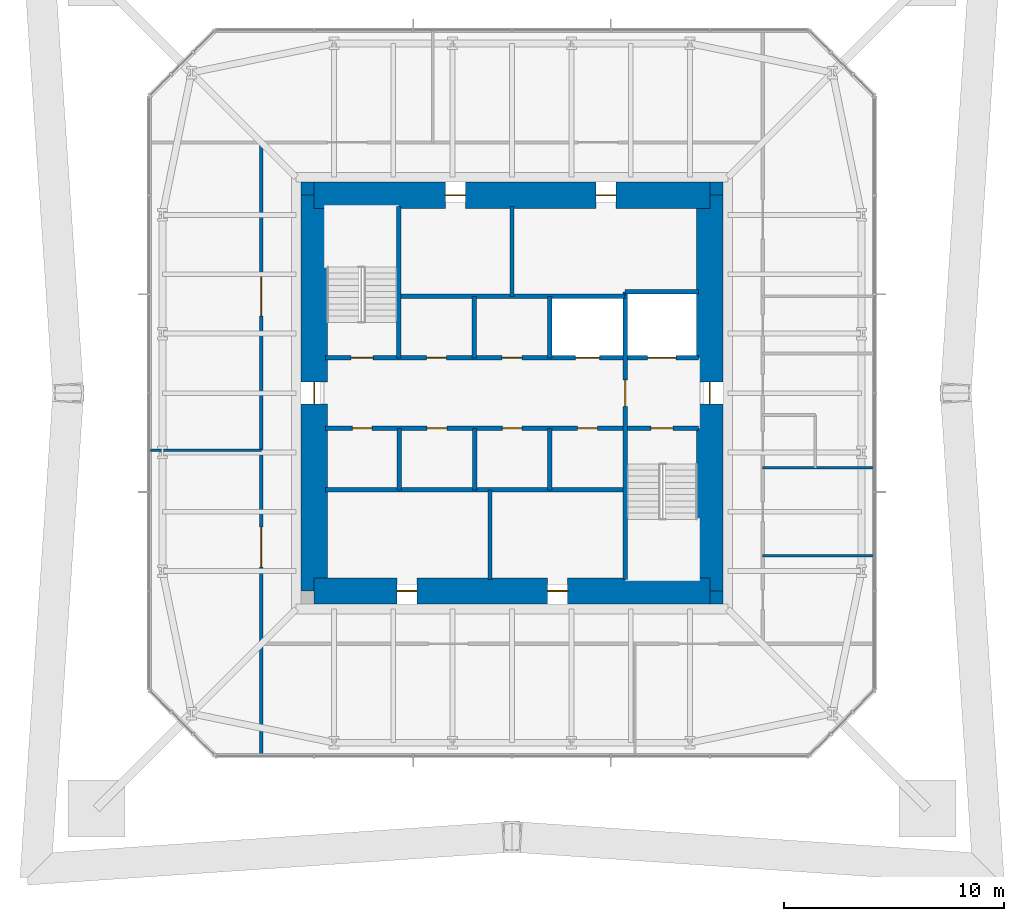
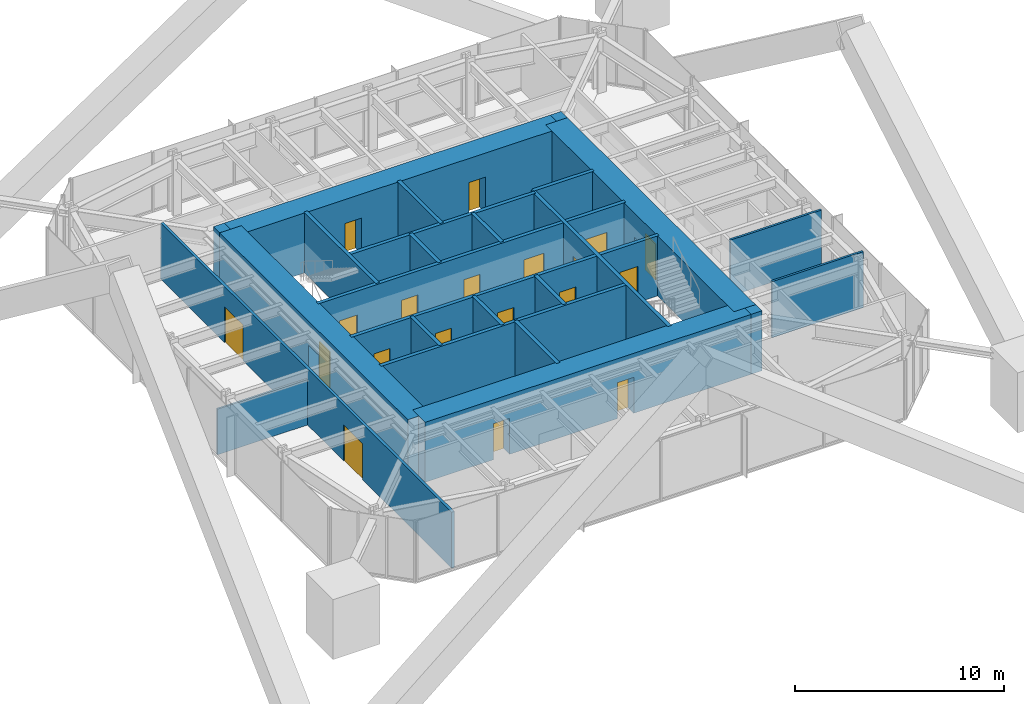
# One storey, part 9 of 11: 25 walls, 19 doors, 19 openings.
"""IFC4 building model written with IfcOpenShell, lengths in metres."""

import ifcopenshell
import ifcopenshell.guid

model = None  # the IFC model being written
_history = None  # IfcOwnerHistory: only IFC2X3 demands one
_inside = {}  # id of a spatial element -> (the spatial element, [elements in it])
_under = {}  # id of a project, library or spatial element -> (it, [spatial elements below it])
_declared = {}  # id of a project -> (the project, [libraries it declares])
_typed = {}  # id of a type object -> (the type object, [elements of that type])
_made_of = {}  # id of a material, layer set ... -> (it, [elements and type objects made of it])


def new_model(schema):
    """Start an empty IFC model of exactly this schema.

    Asked for "IFC4X3", IfcOpenShell would pick the latest addendum, in which some entities
    have other attributes; the version numbers below select the first issue.
    IFC2X3 requires an IfcOwnerHistory on every rooted entity: one is made here for all.
    """
    global model, _history
    if schema == "IFC4X3":
        model = ifcopenshell.file(schema_version=(4, 3, 0, 0))
    else:
        model = ifcopenshell.file(schema=schema)
    _inside.clear()
    _under.clear()
    _declared.clear()
    _typed.clear()
    _made_of.clear()
    _history = None
    if model.schema == "IFC2X3":
        org = make("IfcOrganization", Name="unknown")
        user = make(
            "IfcPersonAndOrganization",
            ThePerson=make("IfcPerson", FamilyName="unknown"),
            TheOrganization=org,
        )
        app = make(
            "IfcApplication",
            ApplicationDeveloper=org,
            Version="unknown",
            ApplicationFullName="unknown",
            ApplicationIdentifier="unknown",
        )
        _history = make(
            "IfcOwnerHistory",
            OwningUser=user,
            OwningApplication=app,
            ChangeAction="ADDED",
            CreationDate=0,
        )
    return model


def make(cls, **values):
    """One entity of the class cls with the attributes given. An attribute that is None is left unset."""
    return model.create_entity(
        cls, **{name: value for name, value in values.items() if value is not None}
    )


def rooted(cls, **values):
    """An entity with a GlobalId (a new one), such as an element, a storey or a relation."""
    return make(cls, GlobalId=ifcopenshell.guid.new(), OwnerHistory=_history, **values)


def si_unit(unit_type, name, prefix=None):
    """IfcSIUnit, for example si_unit("LENGTHUNIT", "METRE", prefix="MILLI")."""
    return make("IfcSIUnit", UnitType=unit_type, Prefix=prefix, Name=name)


def assignment(units):
    """IfcUnitAssignment: the units of a project."""
    return None if units is None else make("IfcUnitAssignment", Units=units)


def point(xyz):
    """IfcCartesianPoint."""
    return None if xyz is None else make("IfcCartesianPoint", Coordinates=xyz)


def direction(xyz):
    """IfcDirection."""
    return None if xyz is None else make("IfcDirection", DirectionRatios=xyz)


def frame(location, z_axis=None, x_axis=None):
    """IfcAxis2Placement3D, a coordinate frame: its origin and axes. An axis left out is left unset."""
    return make(
        "IfcAxis2Placement3D",
        Location=point(location),
        Axis=direction(z_axis),
        RefDirection=direction(x_axis),
    )


def frame_2d(location, x_axis=None):
    """IfcAxis2Placement2D, a coordinate frame in the plane: its origin and x axis."""
    return make(
        "IfcAxis2Placement2D", Location=point(location), RefDirection=direction(x_axis)
    )


def origin():
    """The frame at (0, 0, 0) with its axes left unset."""
    return frame((0.0, 0.0, 0.0))


def place(relative_to, where):
    """IfcLocalPlacement: puts the frame where relative to a parent placement (None: the world)."""
    return make(
        "IfcLocalPlacement", PlacementRelTo=relative_to, RelativePlacement=where
    )


def context(
    kind, dimensions, precision=None, world=None, true_north=None, identifier=None
):
    """IfcGeometricRepresentationContext, for example the 3D "Model" context."""
    return make(
        "IfcGeometricRepresentationContext",
        ContextIdentifier=identifier,
        ContextType=kind,
        CoordinateSpaceDimension=dimensions,
        Precision=precision,
        WorldCoordinateSystem=world,
        TrueNorth=true_north,
    )


def subcontext(parent, identifier, kind, view, scale=None):
    """IfcGeometricRepresentationSubContext, for example "Body" below "Model"."""
    return make(
        "IfcGeometricRepresentationSubContext",
        ContextIdentifier=identifier,
        ContextType=kind,
        ParentContext=parent,
        TargetScale=scale,
        TargetView=view,
    )


def project(units=None, contexts=None):
    """IfcProject with its units and contexts."""
    return rooted(
        "IfcProject",
        Name="project",
        RepresentationContexts=contexts,
        UnitsInContext=assignment(units),
    )


def spatial(cls, under=None, at=None, **own):
    """A site, building, storey or space (cls), placed at a placement, below another one or the project."""
    s = rooted(cls, ObjectPlacement=at, **own)
    if under is not None:
        _under.setdefault(under.id(), (under, []))[1].append(s)
    return s


def profile(cls, at=None, kind="AREA", **sizes):
    """A parametric profile (cls). Its sizes go by their IFC names, for example OverallWidth=200.0."""
    return make(cls, ProfileType=kind, Position=at, **sizes)


def rectangle(**sizes):
    """IfcRectangleProfileDef."""
    return profile("IfcRectangleProfileDef", **sizes)


def extrude(swept, where, along, depth):
    """IfcExtrudedAreaSolid: the profile swept, set in the frame where, extruded along a direction by depth."""
    return make(
        "IfcExtrudedAreaSolid",
        SweptArea=swept,
        Position=where,
        ExtrudedDirection=direction(along),
        Depth=depth,
    )


def shape(context_of_items, identifier, shape_type, items):
    """IfcShapeRepresentation: the items that make up one representation, for example the "Body"."""
    return make(
        "IfcShapeRepresentation",
        ContextOfItems=context_of_items,
        RepresentationIdentifier=identifier,
        RepresentationType=shape_type,
        Items=items,
    )


def material(Name=None, Category=None):
    """IfcMaterial."""
    return make("IfcMaterial", Name=Name, Category=Category)


def layer(
    of_material, thickness, ventilated=None, Name=None, Category=None, Priority=None
):
    """IfcMaterialLayer: one layer of a wall or slab, of a material (None: an air gap)."""
    return make(
        "IfcMaterialLayer",
        Material=of_material,
        LayerThickness=thickness,
        IsVentilated=ventilated,
        Name=Name,
        Category=Category,
        Priority=Priority,
    )


def layer_set(layers, Name=None):
    """IfcMaterialLayerSet."""
    return make("IfcMaterialLayerSet", MaterialLayers=layers, LayerSetName=Name)


def made_of(thing, what):
    """Note that an element or type object is made of a material, layer set ...; save() writes the relation."""
    if what is not None:
        _made_of.setdefault(what.id(), (what, []))[1].append(thing)
    return thing


def type_object(cls, material=None, **own):
    """A type object (cls), such as IfcWallType, which elements share."""
    return made_of(rooted(cls, **own), material)


def element(
    cls,
    number,
    at=None,
    inside=None,
    cuts=None,
    type_object=None,
    material=None,
    context=None,
    identifier="Body",
    shape_type=None,
    held_by="IfcProductDefinitionShape",
    body=None,
    shapes=None,
    **own,
):
    """One element of the class cls, such as IfcWall. Its Tag is "e" and its number.

    at: its placement. inside: the storey or other place that contains it. cuts: it is an
    opening in that element (IfcRelVoidsElement). A single representation is given by context,
    identifier, shape_type and body (its items); several are given by shapes. held_by: the class
    of the entity that holds the representations. save() writes the other relations.
    """
    e = rooted(cls, Tag="e%d" % number, ObjectPlacement=at, **own)
    if body is not None:
        shapes = [shape(context, identifier, shape_type, body)]
    if shapes is not None:
        e.Representation = make(held_by, Representations=shapes)
    if inside is not None:
        _inside.setdefault(inside.id(), (inside, []))[1].append(e)
    if cuts is not None:
        rooted(
            "IfcRelVoidsElement", RelatingBuildingElement=cuts, RelatedOpeningElement=e
        )
    if type_object is not None:
        _typed.setdefault(type_object.id(), (type_object, []))[1].append(e)
    return made_of(e, material)


def fill(opening, filler):
    """IfcRelFillsElement: the door or window that sits in an opening."""
    return rooted(
        "IfcRelFillsElement",
        RelatingOpeningElement=opening,
        RelatedBuildingElement=filler,
    )


def aggregate(whole, parts):
    """IfcRelAggregates: a whole, such as a stair, and the parts it consists of."""
    return rooted("IfcRelAggregates", RelatingObject=whole, RelatedObjects=parts)


def save(model, path):
    """Write the relations noted so far, then the file.

    IfcRelAggregates (storeys below a building ...), IfcRelContainedInSpatialStructure (elements
    in a storey), IfcRelDefinesByType, IfcRelAssociatesMaterial and IfcRelDeclares: one each for
    every whole, place, type object, material and project.
    """
    for whole, parts in _under.values():
        aggregate(whole, parts)
    for where, things in _inside.values():
        rooted(
            "IfcRelContainedInSpatialStructure",
            RelatedElements=things,
            RelatingStructure=where,
        )
    for kind, things in _typed.values():
        rooted("IfcRelDefinesByType", RelatedObjects=things, RelatingType=kind)
    for what, things in _made_of.values():
        rooted("IfcRelAssociatesMaterial", RelatedObjects=things, RelatingMaterial=what)
    for by, libraries in _declared.values():
        rooted("IfcRelDeclares", RelatingContext=by, RelatedDefinitions=libraries)
    model.write(path)


model = new_model("IFC4")

# Units and contexts
model_context = context("Model", 3, precision=1e-05, world=origin(), true_north=direction((0.0, 1.0)))
body_context = subcontext(model_context, "Body", "Model", "MODEL_VIEW")
ifc_project = project(units=[si_unit("LENGTHUNIT", "METRE"), si_unit("AREAUNIT", "SQUARE_METRE"), si_unit("VOLUMEUNIT", "CUBIC_METRE"), si_unit("PLANEANGLEUNIT", "RADIAN"), si_unit("MASSUNIT", "GRAM", prefix="KILO")], contexts=[model_context])

# Site, building, storey
site_placement = place(None, origin())
site = spatial("IfcSite", under=ifc_project, at=site_placement, CompositionType="ELEMENT")
building_placement = place(site_placement, origin())
building = spatial("IfcBuilding", under=site, at=building_placement, Name="Iwan Alto Co-Living Towers", CompositionType="ELEMENT")
storey_placement = place(building_placement, frame((0.0, 0.0, 215.0)))
storey = spatial("IfcBuildingStorey", under=building, at=storey_placement, Name="L58", CompositionType="ELEMENT", Elevation=215.0)

# Wall, openings, doors
ifc_material_1 = material(Name="Gypsum board")
ifc_layer_1 = layer(ifc_material_1, 0.02490234375, Name="Board", Category="Finish")
ifc_material_2 = material(Name="Steel ASTM A1003 ST33H cold-formed studs", Category="steel")
ifc_layer_2 = layer(ifc_material_2, 0.10009765625, Name="Studs", Category="Framing")
ifc_layer_3 = layer(ifc_material_1, 0.02490234375, Name="Board", Category="Finish")
ifc_layer_set_1 = layer_set([ifc_layer_1, ifc_layer_2, ifc_layer_3], Name="CORRIDOR WALL 150")
wall_type_1 = type_object("IfcWallType", Name="CORRIDOR WALL 150", PredefinedType="PARTITIONING", material=ifc_layer_set_1)
wall_1_placement = place(storey_placement, frame((-11.39990234375, -16.43994140625, 0.0), z_axis=(0.0, 0.0, 1.0), x_axis=(0.0, 1.0, 0.0)))
wall_1 = element("IfcWall", 1, at=wall_1_placement, inside=storey, type_object=wall_type_1, Name="Partition L58", PredefinedType="PARTITIONING", context=body_context, shape_type="SweptSolid", body=[
    extrude(rectangle(XDim=27.83984375, YDim=0.14990234375, at=frame_2d((13.919921875, 0.0))), origin(), (0.0, 0.0, 1.0), 3.27001953125),
])
opening_1_placement = place(wall_1_placement, frame((19.93994140625, 0.0, 0.0)))
opening_1 = element("IfcOpeningElement", 2, at=opening_1_placement, cuts=wall_1, Name="Opening D9", PredefinedType="OPENING", context=body_context, shape_type="SweptSolid", body=[
    extrude(rectangle(XDim=1.800048828125, YDim=2.10009765625, at=frame_2d((0.89990234375, 1.050048828125))), frame((0.0, 0.0849609375, 0.0), z_axis=(0.0, -1.0, 0.0), x_axis=(1.0, 0.0, 0.0)), (0.0, 0.0, 1.0), 0.169921875),
])
opening_2_placement = place(wall_1_placement, frame((8.5400390625, 0.0, 0.0)))
opening_2 = element("IfcOpeningElement", 3, at=opening_2_placement, cuts=wall_1, Name="Opening D9", PredefinedType="OPENING", context=body_context, shape_type="SweptSolid", body=[
    extrude(rectangle(XDim=1.800048828125, YDim=2.10009765625, at=frame_2d((0.89990234375, 1.050048828125))), frame((0.0, 0.0849609375, 0.0), z_axis=(0.0, -1.0, 0.0), x_axis=(1.0, 0.0, 0.0)), (0.0, 0.0, 1.0), 0.169921875),
])
ifc_material_3 = material(Name="Steel frame with timber leaf", Category="steel")
door_type_1 = type_object("IfcDoorType", Name="LOUNGE DOOR FD30S 1800X2100", OperationType="DOUBLE_DOOR_SINGLE_SWING", PredefinedType="DOOR", material=ifc_material_3)
door_1_placement = place(opening_1_placement, origin())
door_1 = element("IfcDoor", 4, at=door_1_placement, inside=storey, type_object=door_type_1, Name="Residents' club room door L58", OperationType="DOUBLE_DOOR_SINGLE_SWING", OverallHeight=2.10009765625, OverallWidth=1.800048828125, PredefinedType="DOOR", context=body_context, shape_type="SweptSolid", body=[
    extrude(rectangle(XDim=1.800048828125, YDim=2.10009765625, at=frame_2d((0.89990234375, 1.050048828125))), frame((0.0, 0.02490234375, 0.0), z_axis=(0.0, -1.0, 0.0), x_axis=(1.0, 0.0, 0.0)), (0.0, 0.0, 1.0), 0.050048828125),
])
fill(opening_1, door_1)
door_2_placement = place(opening_2_placement, origin())
door_2 = element("IfcDoor", 5, at=door_2_placement, inside=storey, type_object=door_type_1, Name="Games room door L58", OperationType="DOUBLE_DOOR_SINGLE_SWING", OverallHeight=2.10009765625, OverallWidth=1.800048828125, PredefinedType="DOOR", context=body_context, shape_type="SweptSolid", body=[
    extrude(rectangle(XDim=1.800048828125, YDim=2.10009765625, at=frame_2d((0.89990234375, 1.050048828125))), frame((0.0, 0.02490234375, 0.0), z_axis=(0.0, -1.0, 0.0), x_axis=(1.0, 0.0, 0.0)), (0.0, 0.0, 1.0), 0.050048828125),
])
fill(opening_2, door_2)

# Walls
ifc_layer_4 = layer(ifc_material_1, 0.012451171875, Name="Board", Category="Finish")
ifc_layer_5 = layer(ifc_material_2, 0.074951171875, Name="Studs", Category="Framing")
ifc_layer_6 = layer(ifc_material_1, 0.012451171875, Name="Board", Category="Finish")
ifc_layer_set_2 = layer_set([ifc_layer_4, ifc_layer_5, ifc_layer_6], Name="PARTITION 100")
wall_type_2 = type_object("IfcWallType", Name="PARTITION 100", PredefinedType="PARTITIONING", material=ifc_layer_set_2)
wall_2_placement = place(storey_placement, frame((-16.43994140625, -2.60009765625, 0.0), z_axis=(0.0, 0.0, 1.0), x_axis=(1.0, 0.0, 0.0)))
element("IfcWall", 6, at=wall_2_placement, inside=storey, type_object=wall_type_2, Name="Partition L58", PredefinedType="PARTITIONING", context=body_context, shape_type="SweptSolid", body=[
    extrude(rectangle(XDim=5.0400390625, YDim=0.10009765625, at=frame_2d((2.52001953125, 0.0))), origin(), (0.0, 0.0, 1.0), 2.662841796875),
])
ifc_material_4 = material(Name="Concrete f'c 70 MPa", Category="concrete")
ifc_layer_7 = layer(ifc_material_4, 0.199951171875)
ifc_layer_set_3 = layer_set([ifc_layer_7], Name="SHAFT WALL 200")
wall_type_3 = type_object("IfcWallType", Name="SHAFT WALL 200", PredefinedType="SOLIDWALL", material=ifc_layer_set_3)
wall_3_placement = place(storey_placement, frame((-8.489990234375, -4.39990234375, 0.0), z_axis=(0.0, 0.0, 1.0), x_axis=(1.0, 0.0, 0.0)))
element("IfcWall", 7, at=wall_3_placement, inside=storey, type_object=wall_type_3, Name="Shaft wall L58", PredefinedType="SOLIDWALL", context=body_context, shape_type="SweptSolid", body=[
    extrude(rectangle(XDim=13.639892578125, YDim=0.199951171875, at=frame_2d((6.81982421875, 0.0))), origin(), (0.0, 0.0, 1.0), 3.5),
])

# Wall, openings, doors
wall_4_placement = place(storey_placement, frame((-8.489990234375, -1.60009765625, 0.0), z_axis=(0.0, 0.0, 1.0), x_axis=(1.0, 0.0, 0.0)))
wall_4 = element("IfcWall", 8, at=wall_4_placement, inside=storey, type_object=wall_type_3, Name="Shaft wall L58", PredefinedType="SOLIDWALL", context=body_context, shape_type="SweptSolid", body=[
    extrude(rectangle(XDim=16.97998046875, YDim=0.199951171875, at=frame_2d((8.489990234375, 0.0))), origin(), (0.0, 0.0, 1.0), 3.5),
])
opening_3_placement = place(wall_4_placement, frame((14.81005859375, 0.0, 0.0)))
opening_3 = element("IfcOpeningElement", 9, at=opening_3_placement, cuts=wall_4, Name="Opening D5", PredefinedType="OPENING", context=body_context, shape_type="SweptSolid", body=[
    extrude(rectangle(XDim=1.0, YDim=2.10009765625, at=frame_2d((0.5, 1.050048828125))), frame((0.0, 0.10986328125, 0.0), z_axis=(0.0, -1.0, 0.0), x_axis=(1.0, 0.0, 0.0)), (0.0, 0.0, 1.0), 0.219970703125),
])
opening_4_placement = place(wall_4_placement, frame((1.23193359375, 0.0, 0.0)))
opening_4 = element("IfcOpeningElement", 10, at=opening_4_placement, cuts=wall_4, Name="Opening D15", PredefinedType="OPENING", context=body_context, shape_type="SweptSolid", body=[
    extrude(rectangle(XDim=0.89990234375, YDim=2.10009765625, at=frame_2d((0.449951171875, 1.050048828125))), frame((0.0, 0.10986328125, 0.0), z_axis=(0.0, -1.0, 0.0), x_axis=(1.0, 0.0, 0.0)), (0.0, 0.0, 1.0), 0.219970703125),
])
opening_5_placement = place(wall_4_placement, frame((4.626953125, 0.0, 0.0)))
opening_5 = element("IfcOpeningElement", 11, at=opening_5_placement, cuts=wall_4, Name="Opening D15", PredefinedType="OPENING", context=body_context, shape_type="SweptSolid", body=[
    extrude(rectangle(XDim=0.89990234375, YDim=2.10009765625, at=frame_2d((0.449951171875, 1.050048828125))), frame((0.0, 0.10986328125, 0.0), z_axis=(0.0, -1.0, 0.0), x_axis=(1.0, 0.0, 0.0)), (0.0, 0.0, 1.0), 0.219970703125),
])
opening_6_placement = place(wall_4_placement, frame((8.052001953125, 0.0, 0.0)))
opening_6 = element("IfcOpeningElement", 12, at=opening_6_placement, cuts=wall_4, Name="Opening D15", PredefinedType="OPENING", context=body_context, shape_type="SweptSolid", body=[
    extrude(rectangle(XDim=0.89990234375, YDim=2.10009765625, at=frame_2d((0.449951171875, 1.050048828125))), frame((0.0, 0.10986328125, 0.0), z_axis=(0.0, -1.0, 0.0), x_axis=(1.0, 0.0, 0.0)), (0.0, 0.0, 1.0), 0.219970703125),
])
opening_7_placement = place(wall_4_placement, frame((11.47802734375, 0.0, 0.0)))
opening_7 = element("IfcOpeningElement", 13, at=opening_7_placement, cuts=wall_4, Name="Opening D15", PredefinedType="OPENING", context=body_context, shape_type="SweptSolid", body=[
    extrude(rectangle(XDim=0.89990234375, YDim=2.10009765625, at=frame_2d((0.449951171875, 1.050048828125))), frame((0.0, 0.10986328125, 0.0), z_axis=(0.0, -1.0, 0.0), x_axis=(1.0, 0.0, 0.0)), (0.0, 0.0, 1.0), 0.219970703125),
])
ifc_material_5 = material(Name="Steel frame with timber leaf", Category="steel")
door_type_2 = type_object("IfcDoorType", Name="CORE ROOM DOOR FD60S 900X2100", OperationType="SINGLE_SWING_LEFT", PredefinedType="DOOR", material=ifc_material_5)
door_3_placement = place(opening_4_placement, frame((0.89990234375, 0.0, 0.0), z_axis=(0.0, 0.0, 1.0), x_axis=(-1.0, 0.0, 0.0)))
door_3 = element("IfcDoor", 14, at=door_3_placement, inside=storey, type_object=door_type_2, Name="Vending and ice room door L58", OperationType="SINGLE_SWING_LEFT", OverallHeight=2.10009765625, OverallWidth=0.89990234375, PredefinedType="DOOR", context=body_context, shape_type="SweptSolid", body=[
    extrude(rectangle(XDim=0.89990234375, YDim=2.10009765625, at=frame_2d((0.449951171875, 1.050048828125))), frame((0.0, 0.02490234375, 0.0), z_axis=(0.0, -1.0, 0.0), x_axis=(1.0, 0.0, 0.0)), (0.0, 0.0, 1.0), 0.050048828125),
])
fill(opening_4, door_3)
door_4_placement = place(opening_5_placement, frame((0.89990234375, 0.0, 0.0), z_axis=(0.0, 0.0, 1.0), x_axis=(-1.0, 0.0, 0.0)))
door_4 = element("IfcDoor", 15, at=door_4_placement, inside=storey, type_object=door_type_2, Name="Cleaner's store door L58", OperationType="SINGLE_SWING_RIGHT", OverallHeight=2.10009765625, OverallWidth=0.89990234375, PredefinedType="DOOR", context=body_context, shape_type="SweptSolid", body=[
    extrude(rectangle(XDim=0.89990234375, YDim=2.10009765625, at=frame_2d((0.449951171875, 1.050048828125))), frame((0.0, 0.02490234375, 0.0), z_axis=(0.0, -1.0, 0.0), x_axis=(1.0, 0.0, 0.0)), (0.0, 0.0, 1.0), 0.050048828125),
])
fill(opening_5, door_4)
door_5_placement = place(opening_6_placement, frame((0.89990234375, 0.0, 0.0), z_axis=(0.0, 0.0, 1.0), x_axis=(-1.0, 0.0, 0.0)))
door_5 = element("IfcDoor", 16, at=door_5_placement, inside=storey, type_object=door_type_2, Name="Guest pantry door L58", OperationType="SINGLE_SWING_RIGHT", OverallHeight=2.10009765625, OverallWidth=0.89990234375, PredefinedType="DOOR", context=body_context, shape_type="SweptSolid", body=[
    extrude(rectangle(XDim=0.89990234375, YDim=2.10009765625, at=frame_2d((0.449951171875, 1.050048828125))), frame((0.0, 0.02490234375, 0.0), z_axis=(0.0, -1.0, 0.0), x_axis=(1.0, 0.0, 0.0)), (0.0, 0.0, 1.0), 0.050048828125),
])
fill(opening_6, door_5)
door_6_placement = place(opening_7_placement, frame((0.89990234375, 0.0, 0.0), z_axis=(0.0, 0.0, 1.0), x_axis=(-1.0, 0.0, 0.0)))
door_6 = element("IfcDoor", 17, at=door_6_placement, inside=storey, type_object=door_type_2, Name="Staff WC door L58", OperationType="SINGLE_SWING_RIGHT", OverallHeight=2.10009765625, OverallWidth=0.89990234375, PredefinedType="DOOR", context=body_context, shape_type="SweptSolid", body=[
    extrude(rectangle(XDim=0.89990234375, YDim=2.10009765625, at=frame_2d((0.449951171875, 1.050048828125))), frame((0.0, 0.02490234375, 0.0), z_axis=(0.0, -1.0, 0.0), x_axis=(1.0, 0.0, 0.0)), (0.0, 0.0, 1.0), 0.050048828125),
])
fill(opening_7, door_6)
ifc_material_6 = material(Name="Steel frame with timber leaf", Category="steel")
door_type_3 = type_object("IfcDoorType", Name="STAIR DOOR FD120S 1000X2100", OperationType="SINGLE_SWING_LEFT", PredefinedType="DOOR", material=ifc_material_6)
door_7_placement = place(opening_3_placement, frame((1.0, 0.0, 0.0), z_axis=(0.0, 0.0, 1.0), x_axis=(-1.0, 0.0, 0.0)))
door_7 = element("IfcDoor", 18, at=door_7_placement, inside=storey, type_object=door_type_3, Name="Stair S2 door L58", OperationType="SINGLE_SWING_RIGHT", OverallHeight=2.10009765625, OverallWidth=1.0, PredefinedType="DOOR", context=body_context, shape_type="SweptSolid", body=[
    extrude(rectangle(XDim=1.0, YDim=2.10009765625, at=frame_2d((0.5, 1.050048828125))), frame((0.0, 0.02490234375, 0.0), z_axis=(0.0, -1.0, 0.0), x_axis=(1.0, 0.0, 0.0)), (0.0, 0.0, 1.0), 0.050048828125),
])
fill(opening_3, door_7)

wall_5_placement = place(storey_placement, frame((-8.489990234375, 1.60009765625, 0.0), z_axis=(0.0, 0.0, 1.0), x_axis=(1.0, 0.0, 0.0)))
wall_5 = element("IfcWall", 19, at=wall_5_placement, inside=storey, type_object=wall_type_3, Name="Shaft wall L58", PredefinedType="SOLIDWALL", context=body_context, shape_type="SweptSolid", body=[
    extrude(rectangle(XDim=16.97998046875, YDim=0.199951171875, at=frame_2d((8.489990234375, 0.0))), origin(), (0.0, 0.0, 1.0), 3.5),
])
opening_8_placement = place(wall_5_placement, frame((1.169921875, 0.0, 0.0)))
opening_8 = element("IfcOpeningElement", 20, at=opening_8_placement, cuts=wall_5, Name="Opening D5", PredefinedType="OPENING", context=body_context, shape_type="SweptSolid", body=[
    extrude(rectangle(XDim=1.0, YDim=2.10009765625, at=frame_2d((0.5, 1.050048828125))), frame((0.0, 0.10986328125, 0.0), z_axis=(0.0, -1.0, 0.0), x_axis=(1.0, 0.0, 0.0)), (0.0, 0.0, 1.0), 0.219970703125),
])
opening_9_placement = place(wall_5_placement, frame((4.60595703125, 0.0, 0.0)))
opening_9 = element("IfcOpeningElement", 21, at=opening_9_placement, cuts=wall_5, Name="Opening D15", PredefinedType="OPENING", context=body_context, shape_type="SweptSolid", body=[
    extrude(rectangle(XDim=0.89990234375, YDim=2.10009765625, at=frame_2d((0.449951171875, 1.050048828125))), frame((0.0, 0.10986328125, 0.0), z_axis=(0.0, -1.0, 0.0), x_axis=(1.0, 0.0, 0.0)), (0.0, 0.0, 1.0), 0.219970703125),
])
opening_10_placement = place(wall_5_placement, frame((8.0400390625, 0.0, 0.0)))
opening_10 = element("IfcOpeningElement", 22, at=opening_10_placement, cuts=wall_5, Name="Opening D15", PredefinedType="OPENING", context=body_context, shape_type="SweptSolid", body=[
    extrude(rectangle(XDim=0.89990234375, YDim=2.10009765625, at=frame_2d((0.449951171875, 1.050048828125))), frame((0.0, 0.10986328125, 0.0), z_axis=(0.0, -1.0, 0.0), x_axis=(1.0, 0.0, 0.0)), (0.0, 0.0, 1.0), 0.219970703125),
])
opening_11_placement = place(wall_5_placement, frame((11.3740234375, 0.0, 0.0)))
opening_11 = element("IfcOpeningElement", 23, at=opening_11_placement, cuts=wall_5, Name="Opening LD", PredefinedType="OPENING", context=body_context, shape_type="SweptSolid", body=[
    extrude(rectangle(XDim=1.10009765625, YDim=2.10009765625, at=frame_2d((0.550048828125, 1.050048828125))), frame((0.0, 0.10986328125, 0.0), z_axis=(0.0, -1.0, 0.0), x_axis=(1.0, 0.0, 0.0)), (0.0, 0.0, 1.0), 0.219970703125),
])
opening_12_placement = place(wall_5_placement, frame((14.659912109375, 0.0, 0.0)))
opening_12 = element("IfcOpeningElement", 24, at=opening_12_placement, cuts=wall_5, Name="Opening LD2", PredefinedType="OPENING", context=body_context, shape_type="SweptSolid", body=[
    extrude(rectangle(XDim=1.300048828125, YDim=2.10009765625, at=frame_2d((0.64990234375, 1.050048828125))), frame((0.0, 0.10986328125, 0.0), z_axis=(0.0, -1.0, 0.0), x_axis=(1.0, 0.0, 0.0)), (0.0, 0.0, 1.0), 0.219970703125),
])
door_8_placement = place(opening_9_placement, origin())
door_8 = element("IfcDoor", 25, at=door_8_placement, inside=storey, type_object=door_type_2, Name="Comms room door L58", OperationType="SINGLE_SWING_LEFT", OverallHeight=2.10009765625, OverallWidth=0.89990234375, PredefinedType="DOOR", context=body_context, shape_type="SweptSolid", body=[
    extrude(rectangle(XDim=0.89990234375, YDim=2.10009765625, at=frame_2d((0.449951171875, 1.050048828125))), frame((0.0, 0.02490234375, 0.0), z_axis=(0.0, -1.0, 0.0), x_axis=(1.0, 0.0, 0.0)), (0.0, 0.0, 1.0), 0.050048828125),
])
fill(opening_9, door_8)
door_9_placement = place(opening_10_placement, origin())
door_9 = element("IfcDoor", 26, at=door_9_placement, inside=storey, type_object=door_type_2, Name="Bulk store door L58", OperationType="SINGLE_SWING_LEFT", OverallHeight=2.10009765625, OverallWidth=0.89990234375, PredefinedType="DOOR", context=body_context, shape_type="SweptSolid", body=[
    extrude(rectangle(XDim=0.89990234375, YDim=2.10009765625, at=frame_2d((0.449951171875, 1.050048828125))), frame((0.0, 0.02490234375, 0.0), z_axis=(0.0, -1.0, 0.0), x_axis=(1.0, 0.0, 0.0)), (0.0, 0.0, 1.0), 0.050048828125),
])
fill(opening_10, door_9)
ifc_material_7 = material(Name="Steel frame with timber leaf", Category="steel")
door_type_4 = type_object("IfcDoorType", Name="LIFT LANDING DOOR 1100X2100", OperationType="DOUBLE_DOOR_SLIDING", PredefinedType="DOOR", material=ifc_material_7)
door_10_placement = place(opening_11_placement, origin())
door_10 = element("IfcDoor", 27, at=door_10_placement, inside=storey, type_object=door_type_4, Name="Lift P4-3 landing door L58", OperationType="DOUBLE_DOOR_SLIDING", OverallHeight=2.10009765625, OverallWidth=1.10009765625, PredefinedType="DOOR", context=body_context, shape_type="SweptSolid", body=[
    extrude(rectangle(XDim=1.10009765625, YDim=2.10009765625, at=frame_2d((0.550048828125, 1.050048828125))), frame((0.0, 0.02490234375, 0.0), z_axis=(0.0, -1.0, 0.0), x_axis=(1.0, 0.0, 0.0)), (0.0, 0.0, 1.0), 0.050048828125),
])
fill(opening_11, door_10)
ifc_material_8 = material(Name="Steel frame with timber leaf", Category="steel")
door_type_5 = type_object("IfcDoorType", Name="LIFT LANDING DOOR 1300X2100", OperationType="SLIDING_TO_LEFT", PredefinedType="DOOR", material=ifc_material_8)
door_11_placement = place(opening_12_placement, origin())
door_11 = element("IfcDoor", 28, at=door_11_placement, inside=storey, type_object=door_type_5, Name="Lift FL1 landing door L58", OperationType="SLIDING_TO_LEFT", OverallHeight=2.10009765625, OverallWidth=1.300048828125, PredefinedType="DOOR", context=body_context, shape_type="SweptSolid", body=[
    extrude(rectangle(XDim=1.300048828125, YDim=2.10009765625, at=frame_2d((0.64990234375, 1.050048828125))), frame((0.0, 0.02490234375, 0.0), z_axis=(0.0, -1.0, 0.0), x_axis=(1.0, 0.0, 0.0)), (0.0, 0.0, 1.0), 0.050048828125),
])
fill(opening_12, door_11)
door_12_placement = place(opening_8_placement, origin())
door_12 = element("IfcDoor", 29, at=door_12_placement, inside=storey, type_object=door_type_3, Name="Stair S1 door L58", OperationType="SINGLE_SWING_RIGHT", OverallHeight=2.10009765625, OverallWidth=1.0, PredefinedType="DOOR", context=body_context, shape_type="SweptSolid", body=[
    extrude(rectangle(XDim=1.0, YDim=2.10009765625, at=frame_2d((0.5, 1.050048828125))), frame((0.0, 0.02490234375, 0.0), z_axis=(0.0, -1.0, 0.0), x_axis=(1.0, 0.0, 0.0)), (0.0, 0.0, 1.0), 0.050048828125),
])
fill(opening_8, door_12)

# Walls
wall_6_placement = place(storey_placement, frame((-5.14990234375, 4.39990234375, 0.0), z_axis=(0.0, 0.0, 1.0), x_axis=(1.0, 0.0, 0.0)))
element("IfcWall", 30, at=wall_6_placement, inside=storey, type_object=wall_type_3, Name="Shaft wall L58", PredefinedType="SOLIDWALL", context=body_context, shape_type="SweptSolid", body=[
    extrude(rectangle(XDim=10.2998046875, YDim=0.199951171875, at=frame_2d((5.14990234375, 0.0))), origin(), (0.0, 0.0, 1.0), 3.5),
])
wall_7_placement = place(storey_placement, frame((5.14990234375, 4.60009765625, 0.0), z_axis=(0.0, 0.0, 1.0), x_axis=(1.0, 0.0, 0.0)))
element("IfcWall", 31, at=wall_7_placement, inside=storey, type_object=wall_type_3, Name="Shaft wall L58", PredefinedType="SOLIDWALL", context=body_context, shape_type="SweptSolid", body=[
    extrude(rectangle(XDim=3.340087890625, YDim=0.199951171875, at=frame_2d((1.669921875, 0.0))), origin(), (0.0, 0.0, 1.0), 3.5),
])

# Wall, opening, door
wall_8_placement = place(storey_placement, frame((5.14990234375, -8.489990234375, 0.0), z_axis=(0.0, 0.0, 1.0), x_axis=(0.0, 1.0, 0.0)))
wall_8 = element("IfcWall", 32, at=wall_8_placement, inside=storey, type_object=wall_type_3, Name="Shaft wall L58", PredefinedType="SOLIDWALL", context=body_context, shape_type="SweptSolid", body=[
    extrude(rectangle(XDim=13.090087890625, YDim=0.199951171875, at=frame_2d((6.544921875, 0.0))), origin(), (0.0, 0.0, 1.0), 3.5),
])
opening_13_placement = place(wall_8_placement, frame((7.889892578125, 0.0, 0.0)))
opening_13 = element("IfcOpeningElement", 33, at=opening_13_placement, cuts=wall_8, Name="Opening D6", PredefinedType="OPENING", context=body_context, shape_type="SweptSolid", body=[
    extrude(rectangle(XDim=1.199951171875, YDim=2.10009765625, at=frame_2d((0.60009765625, 1.050048828125))), frame((0.0, 0.10986328125, 0.0), z_axis=(0.0, -1.0, 0.0), x_axis=(1.0, 0.0, 0.0)), (0.0, 0.0, 1.0), 0.219970703125),
])
ifc_material_9 = material(Name="Steel frame with timber leaf", Category="steel")
door_type_6 = type_object("IfcDoorType", Name="LOBBY DOOR FD120S 1200X2100", OperationType="SINGLE_SWING_LEFT", PredefinedType="DOOR", material=ifc_material_9)
door_13_placement = place(opening_13_placement, frame((1.199951171875, 0.0, 0.0), z_axis=(0.0, 0.0, 1.0), x_axis=(-1.0, 0.0, 0.0)))
door_13 = element("IfcDoor", 34, at=door_13_placement, inside=storey, type_object=door_type_6, Name="Firefighting lobby door L58", OperationType="SINGLE_SWING_RIGHT", OverallHeight=2.10009765625, OverallWidth=1.199951171875, PredefinedType="DOOR", context=body_context, shape_type="SweptSolid", body=[
    extrude(rectangle(XDim=1.199951171875, YDim=2.10009765625, at=frame_2d((0.60009765625, 1.050048828125))), frame((0.0, 0.02490234375, 0.0), z_axis=(0.0, -1.0, 0.0), x_axis=(1.0, 0.0, 0.0)), (0.0, 0.0, 1.0), 0.050048828125),
])
fill(opening_13, door_13)

# Walls
for number, where, z_axis, x_axis, name in (
    (35, (1.72509765625, -4.39990234375, 0.0), (0.0, 0.0, 1.0), (0.0, 1.0, 0.0), "Shaft wall L58"),
    (36, (1.717041015625, 1.60009765625, 0.0), (0.0, 0.0, 1.0), (0.0, 1.0, 0.0), "Shaft wall L58"),
):
    element("IfcWall", number, at=place(storey_placement, frame(where, z_axis=z_axis, x_axis=x_axis)), inside=storey, type_object=wall_type_3, Name=name, PredefinedType="SOLIDWALL", context=body_context, shape_type="SweptSolid", body=[
        extrude(rectangle(XDim=2.7998046875, YDim=0.199951171875, at=frame_2d((1.39990234375, 0.0))), origin(), (0.0, 0.0, 1.0), 3.5),
    ])
for number, where, z_axis, x_axis, name in (
    (37, (0.0, 4.39990234375, 0.0), (0.0, 0.0, 1.0), (0.0, 1.0, 0.0), "Shaft wall L58"),
    (38, (-1.0, -8.489990234375, 0.0), (0.0, 0.0, 1.0), (0.0, 1.0, 0.0), "Shaft wall L58"),
):
    element("IfcWall", number, at=place(storey_placement, frame(where, z_axis=z_axis, x_axis=x_axis)), inside=storey, type_object=wall_type_3, Name=name, PredefinedType="SOLIDWALL", context=body_context, shape_type="SweptSolid", body=[
        extrude(rectangle(XDim=4.090087890625, YDim=0.199951171875, at=frame_2d((2.044921875, 0.0))), origin(), (0.0, 0.0, 1.0), 3.5),
    ])
for number, where, z_axis, x_axis, name in (
    (39, (-1.699951171875, -4.39990234375, 0.0), (0.0, 0.0, 1.0), (0.0, 1.0, 0.0), "Shaft wall L58"),
    (40, (-1.717041015625, 1.60009765625, 0.0), (0.0, 0.0, 1.0), (0.0, 1.0, 0.0), "Shaft wall L58"),
    (41, (-5.125, -4.39990234375, 0.0), (0.0, 0.0, 1.0), (0.0, 1.0, 0.0), "Shaft wall L58"),
):
    element("IfcWall", number, at=place(storey_placement, frame(where, z_axis=z_axis, x_axis=x_axis)), inside=storey, type_object=wall_type_3, Name=name, PredefinedType="SOLIDWALL", context=body_context, shape_type="SweptSolid", body=[
        extrude(rectangle(XDim=2.7998046875, YDim=0.199951171875, at=frame_2d((1.39990234375, 0.0))), origin(), (0.0, 0.0, 1.0), 3.5),
    ])
wall_9_placement = place(storey_placement, frame((-5.14990234375, 1.60009765625, 0.0), z_axis=(0.0, 0.0, 1.0), x_axis=(0.0, 1.0, 0.0)))
element("IfcWall", 42, at=wall_9_placement, inside=storey, type_object=wall_type_3, Name="Shaft wall L58", PredefinedType="SOLIDWALL", context=body_context, shape_type="SweptSolid", body=[
    extrude(rectangle(XDim=6.889892578125, YDim=0.199951171875, at=frame_2d((3.44482421875, 0.0))), origin(), (0.0, 0.0, 1.0), 3.5),
])
ifc_material_10 = material(Name="Concrete f'c 70 MPa", Category="concrete")
ifc_layer_8 = layer(ifc_material_10, 0.60009765625)
ifc_layer_set_4 = layer_set([ifc_layer_8], Name="T1 CORE CORNER FILL 600")
wall_type_4 = type_object("IfcWallType", Name="T1 CORE CORNER FILL 600", PredefinedType="SOLIDWALL", material=ifc_layer_set_4)
for number, where, z_axis, x_axis, name in (
    (43, (9.0, -9.300048828125, 0.0), (0.0, 0.0, 1.0), (1.0, 0.0, 0.0), "T1 core corner SE L58"),
    (44, (9.0, 9.300048828125, 0.0), (0.0, 0.0, 1.0), (1.0, 0.0, 0.0), "T1 core corner NE L58"),
    (45, (-9.60009765625, 9.300048828125, 0.0), (0.0, 0.0, 1.0), (1.0, 0.0, 0.0), "T1 core corner NW L58"),
):
    element("IfcWall", number, at=place(storey_placement, frame(where, z_axis=z_axis, x_axis=x_axis)), inside=storey, type_object=wall_type_4, Name=name, PredefinedType="SOLIDWALL", context=body_context, shape_type="SweptSolid", body=[
        extrude(rectangle(XDim=0.60009765625, YDim=0.60009765625, at=frame_2d((0.300048828125, 0.0))), origin(), (0.0, 0.0, 1.0), 3.5),
    ])

# Wall, openings, doors
ifc_material_11 = material(Name="Concrete f'c 70 MPa", Category="concrete")
ifc_layer_9 = layer(ifc_material_11, 1.199951171875)
ifc_layer_set_5 = layer_set([ifc_layer_9], Name="T1 CORE WALL 1200")
wall_type_5 = type_object("IfcWallType", Name="T1 CORE WALL 1200", PredefinedType="SHEAR", material=ifc_layer_set_5)
wall_10_placement = place(storey_placement, frame((-9.0, -9.0, 0.0), z_axis=(0.0, 0.0, 1.0), x_axis=(1.0, 0.0, 0.0)))
wall_10 = element("IfcWall", 46, at=wall_10_placement, inside=storey, type_object=wall_type_5, Name="T1 core wall S L58", PredefinedType="SHEAR", context=body_context, shape_type="SweptSolid", body=[
    extrude(rectangle(XDim=18.0, YDim=1.199951171875, at=frame_2d((9.0, 0.0))), origin(), (0.0, 0.0, 1.0), 3.5),
])
opening_14_placement = place(wall_10_placement, frame((3.77490234375, 0.0, 0.0)))
opening_14 = element("IfcOpeningElement", 47, at=opening_14_placement, cuts=wall_10, Name="Opening D8", PredefinedType="OPENING", context=body_context, shape_type="SweptSolid", body=[
    extrude(rectangle(XDim=0.89990234375, YDim=2.10009765625, at=frame_2d((0.449951171875, 1.050048828125))), frame((0.0, 0.60986328125, 0.0), z_axis=(0.0, -1.0, 0.0), x_axis=(1.0, 0.0, 0.0)), (0.0, 0.0, 1.0), 1.219970703125),
])
opening_15_placement = place(wall_10_placement, frame((10.625, 0.0, 0.0)))
opening_15 = element("IfcOpeningElement", 48, at=opening_15_placement, cuts=wall_10, Name="Opening D8", PredefinedType="OPENING", context=body_context, shape_type="SweptSolid", body=[
    extrude(rectangle(XDim=0.89990234375, YDim=2.10009765625, at=frame_2d((0.449951171875, 1.050048828125))), frame((0.0, 0.60986328125, 0.0), z_axis=(0.0, -1.0, 0.0), x_axis=(1.0, 0.0, 0.0)), (0.0, 0.0, 1.0), 1.219970703125),
])
ifc_material_12 = material(Name="Steel frame with timber leaf", Category="steel")
door_type_7 = type_object("IfcDoorType", Name="RISER DOOR FD120 900X2100", OperationType="SINGLE_SWING_LEFT", PredefinedType="DOOR", material=ifc_material_12)
door_14_placement = place(opening_14_placement, origin())
door_14 = element("IfcDoor", 49, at=door_14_placement, inside=storey, type_object=door_type_7, Name="Refuse room core door L58", OperationType="SINGLE_SWING_LEFT", OverallHeight=2.10009765625, OverallWidth=0.89990234375, PredefinedType="DOOR", context=body_context, shape_type="SweptSolid", body=[
    extrude(rectangle(XDim=0.89990234375, YDim=2.10009765625, at=frame_2d((0.449951171875, 1.050048828125))), frame((0.0, 0.02490234375, 0.0), z_axis=(0.0, -1.0, 0.0), x_axis=(1.0, 0.0, 0.0)), (0.0, 0.0, 1.0), 0.050048828125),
])
fill(opening_14, door_14)
door_15_placement = place(opening_15_placement, origin())
door_15 = element("IfcDoor", 50, at=door_15_placement, inside=storey, type_object=door_type_7, Name="Telecom riser core door L58", OperationType="SINGLE_SWING_LEFT", OverallHeight=2.10009765625, OverallWidth=0.89990234375, PredefinedType="DOOR", context=body_context, shape_type="SweptSolid", body=[
    extrude(rectangle(XDim=0.89990234375, YDim=2.10009765625, at=frame_2d((0.449951171875, 1.050048828125))), frame((0.0, 0.02490234375, 0.0), z_axis=(0.0, -1.0, 0.0), x_axis=(1.0, 0.0, 0.0)), (0.0, 0.0, 1.0), 0.050048828125),
])
fill(opening_15, door_15)

wall_11_placement = place(storey_placement, frame((9.0, 9.0, 0.0), z_axis=(0.0, 0.0, 1.0), x_axis=(-1.0, 0.0, 0.0)))
wall_11 = element("IfcWall", 51, at=wall_11_placement, inside=storey, type_object=wall_type_5, Name="T1 core wall N L58", PredefinedType="SHEAR", context=body_context, shape_type="SweptSolid", body=[
    extrude(rectangle(XDim=18.0, YDim=1.199951171875, at=frame_2d((9.0, 0.0))), origin(), (0.0, 0.0, 1.0), 3.5),
])
opening_16_placement = place(wall_11_placement, frame((11.125, 0.0, 0.0)))
opening_16 = element("IfcOpeningElement", 52, at=opening_16_placement, cuts=wall_11, Name="Opening D8", PredefinedType="OPENING", context=body_context, shape_type="SweptSolid", body=[
    extrude(rectangle(XDim=0.89990234375, YDim=2.10009765625, at=frame_2d((0.449951171875, 1.050048828125))), frame((0.0, 0.60986328125, 0.0), z_axis=(0.0, -1.0, 0.0), x_axis=(1.0, 0.0, 0.0)), (0.0, 0.0, 1.0), 1.219970703125),
])
opening_17_placement = place(wall_11_placement, frame((4.27490234375, 0.0, 0.0)))
opening_17 = element("IfcOpeningElement", 53, at=opening_17_placement, cuts=wall_11, Name="Opening D8", PredefinedType="OPENING", context=body_context, shape_type="SweptSolid", body=[
    extrude(rectangle(XDim=0.89990234375, YDim=2.10009765625, at=frame_2d((0.449951171875, 1.050048828125))), frame((0.0, 0.60986328125, 0.0), z_axis=(0.0, -1.0, 0.0), x_axis=(1.0, 0.0, 0.0)), (0.0, 0.0, 1.0), 1.219970703125),
])
door_16_placement = place(opening_16_placement, origin())
door_16 = element("IfcDoor", 54, at=door_16_placement, inside=storey, type_object=door_type_7, Name="Electrical riser core door L58", OperationType="SINGLE_SWING_RIGHT", OverallHeight=2.10009765625, OverallWidth=0.89990234375, PredefinedType="DOOR", context=body_context, shape_type="SweptSolid", body=[
    extrude(rectangle(XDim=0.89990234375, YDim=2.10009765625, at=frame_2d((0.449951171875, 1.050048828125))), frame((0.0, 0.02490234375, 0.0), z_axis=(0.0, -1.0, 0.0), x_axis=(1.0, 0.0, 0.0)), (0.0, 0.0, 1.0), 0.050048828125),
])
fill(opening_16, door_16)
door_17_placement = place(opening_17_placement, origin())
door_17 = element("IfcDoor", 55, at=door_17_placement, inside=storey, type_object=door_type_7, Name="Water and drainage riser core door L58", OperationType="SINGLE_SWING_RIGHT", OverallHeight=2.10009765625, OverallWidth=0.89990234375, PredefinedType="DOOR", context=body_context, shape_type="SweptSolid", body=[
    extrude(rectangle(XDim=0.89990234375, YDim=2.10009765625, at=frame_2d((0.449951171875, 1.050048828125))), frame((0.0, 0.02490234375, 0.0), z_axis=(0.0, -1.0, 0.0), x_axis=(1.0, 0.0, 0.0)), (0.0, 0.0, 1.0), 0.050048828125),
])
fill(opening_17, door_17)

# Wall, opening, door
wall_12_placement = place(storey_placement, frame((9.0, -9.0, 0.0), z_axis=(0.0, 0.0, 1.0), x_axis=(0.0, 1.0, 0.0)))
wall_12 = element("IfcWall", 56, at=wall_12_placement, inside=storey, type_object=wall_type_5, Name="T1 core wall E L58", PredefinedType="SHEAR", context=body_context, shape_type="SweptSolid", body=[
    extrude(rectangle(XDim=18.0, YDim=1.199951171875, at=frame_2d((9.0, 0.0))), origin(), (0.0, 0.0, 1.0), 3.5),
])
opening_18_placement = place(wall_12_placement, frame((8.5, 0.0, 0.0)))
opening_18 = element("IfcOpeningElement", 57, at=opening_18_placement, cuts=wall_12, Name="Opening D7", PredefinedType="OPENING", context=body_context, shape_type="SweptSolid", body=[
    extrude(rectangle(XDim=1.0, YDim=2.10009765625, at=frame_2d((0.5, 1.050048828125))), frame((0.0, 0.60986328125, 0.0), z_axis=(0.0, -1.0, 0.0), x_axis=(1.0, 0.0, 0.0)), (0.0, 0.0, 1.0), 1.219970703125),
])
ifc_material_13 = material(Name="Steel frame with timber leaf", Category="steel")
door_type_8 = type_object("IfcDoorType", Name="CORE DOOR FD120S 1000X2100", OperationType="SINGLE_SWING_LEFT", PredefinedType="DOOR", material=ifc_material_13)
door_18_placement = place(opening_18_placement, origin())
door_18 = element("IfcDoor", 58, at=door_18_placement, inside=storey, type_object=door_type_8, Name="Firefighting lobby core door L58", OperationType="SINGLE_SWING_LEFT", OverallHeight=2.10009765625, OverallWidth=1.0, PredefinedType="DOOR", context=body_context, shape_type="SweptSolid", body=[
    extrude(rectangle(XDim=1.0, YDim=2.10009765625, at=frame_2d((0.5, 1.050048828125))), frame((0.0, 0.02490234375, 0.0), z_axis=(0.0, -1.0, 0.0), x_axis=(1.0, 0.0, 0.0)), (0.0, 0.0, 1.0), 0.050048828125),
])
fill(opening_18, door_18)

wall_13_placement = place(storey_placement, frame((-9.0, 9.0, 0.0), z_axis=(0.0, 0.0, 1.0), x_axis=(0.0, -1.0, 0.0)))
wall_13 = element("IfcWall", 59, at=wall_13_placement, inside=storey, type_object=wall_type_5, Name="T1 core wall W L58", PredefinedType="SHEAR", context=body_context, shape_type="SweptSolid", body=[
    extrude(rectangle(XDim=18.0, YDim=1.199951171875, at=frame_2d((9.0, 0.0))), origin(), (0.0, 0.0, 1.0), 3.5),
])
opening_19_placement = place(wall_13_placement, frame((8.5, 0.0, 0.0)))
opening_19 = element("IfcOpeningElement", 60, at=opening_19_placement, cuts=wall_13, Name="Opening D7", PredefinedType="OPENING", context=body_context, shape_type="SweptSolid", body=[
    extrude(rectangle(XDim=1.0, YDim=2.10009765625, at=frame_2d((0.5, 1.050048828125))), frame((0.0, 0.60986328125, 0.0), z_axis=(0.0, -1.0, 0.0), x_axis=(1.0, 0.0, 0.0)), (0.0, 0.0, 1.0), 1.219970703125),
])
door_19_placement = place(opening_19_placement, origin())
door_19 = element("IfcDoor", 61, at=door_19_placement, inside=storey, type_object=door_type_8, Name="Lift lobby core door L58", OperationType="SINGLE_SWING_RIGHT", OverallHeight=2.10009765625, OverallWidth=1.0, PredefinedType="DOOR", context=body_context, shape_type="SweptSolid", body=[
    extrude(rectangle(XDim=1.0, YDim=2.10009765625, at=frame_2d((0.5, 1.050048828125))), frame((0.0, 0.02490234375, 0.0), z_axis=(0.0, -1.0, 0.0), x_axis=(1.0, 0.0, 0.0)), (0.0, 0.0, 1.0), 0.050048828125),
])
fill(opening_19, door_19)

# Walls
ifc_material_14 = material(Name="Cement board")
ifc_layer_10 = layer(ifc_material_14, 0.012451171875, Name="Board", Category="Finish")
ifc_layer_11 = layer(ifc_material_2, 0.094970703125, Name="Studs", Category="Framing")
ifc_layer_12 = layer(ifc_material_14, 0.012451171875, Name="Board", Category="Finish")
ifc_layer_set_6 = layer_set([ifc_layer_10, ifc_layer_11, ifc_layer_12], Name="WET AREA PARTITION 120")
wall_type_6 = type_object("IfcWallType", Name="WET AREA PARTITION 120", PredefinedType="PARTITIONING", material=ifc_layer_set_6)
for number, where, z_axis, x_axis, name in (
    (62, (11.39990234375, -7.39990234375, 0.0), (0.0, 0.0, 1.0), (1.0, 0.0, 0.0), "Partition L58"),
    (63, (11.39990234375, -3.39990234375, 0.0), (0.0, 0.0, 1.0), (1.0, 0.0, 0.0), "Partition L58"),
):
    element("IfcWall", number, at=place(storey_placement, frame(where, z_axis=z_axis, x_axis=x_axis)), inside=storey, type_object=wall_type_6, Name=name, PredefinedType="PARTITIONING", context=body_context, shape_type="SweptSolid", body=[
        extrude(rectangle(XDim=5.0400390625, YDim=0.1201171875, at=frame_2d((2.52001953125, 0.0))), origin(), (0.0, 0.0, 1.0), 3.27001953125),
    ])

save(model, "model.ifc")
